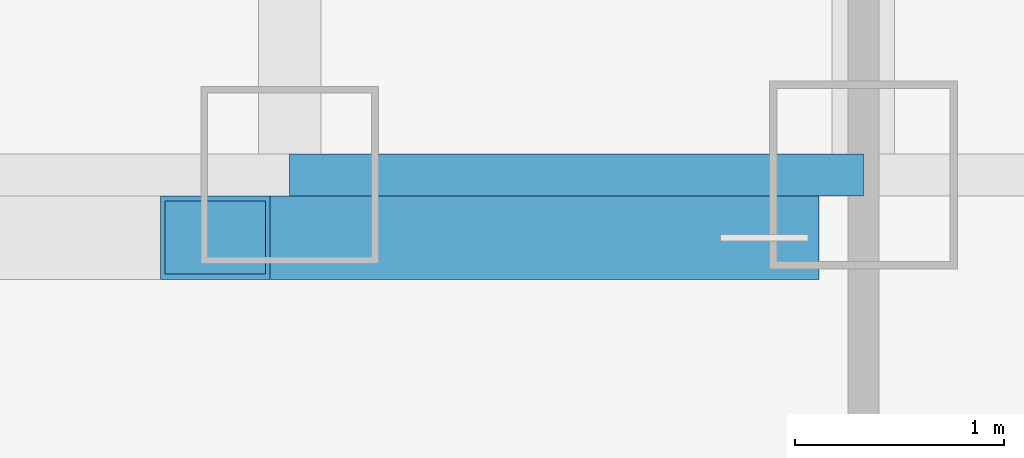
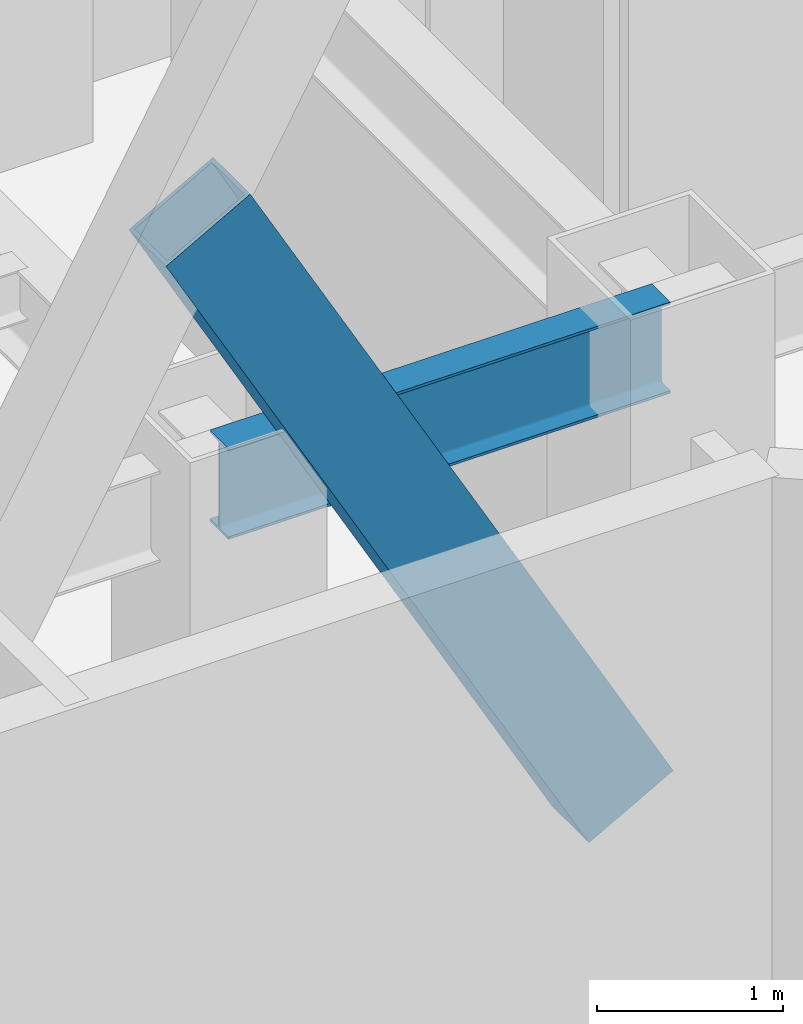
# One storey, part 3 of 29: 1 beam, 1 member.
"""IFC4 building model written with IfcOpenShell, lengths in metres."""

from ifc_helpers import new_model, si_unit, direction, frame, origin, origin_2d, place, context, subcontext, project, spatial, hollow_rectangle, i_section, extrude, material, material_profile, profile_set, type_object, element, save


model = new_model("IFC4")

# Units and contexts
model_context = context("Model", 3, precision=1e-05, world=origin(), true_north=direction((0.0, 1.0)))
body_context = subcontext(model_context, "Body", "Model", "MODEL_VIEW")
ifc_project = project(units=[si_unit("LENGTHUNIT", "METRE"), si_unit("AREAUNIT", "SQUARE_METRE"), si_unit("VOLUMEUNIT", "CUBIC_METRE"), si_unit("PLANEANGLEUNIT", "RADIAN"), si_unit("MASSUNIT", "GRAM", prefix="KILO")], contexts=[model_context])

# Site, building, storey
site_placement = place(None, origin())
site = spatial("IfcSite", under=ifc_project, at=site_placement, CompositionType="ELEMENT")
building_placement = place(site_placement, origin())
building = spatial("IfcBuilding", under=site, at=building_placement, Name="Hatsunagi Terrace Concourse", CompositionType="ELEMENT")
storey_placement = place(building_placement, frame((0.0, 0.0, 119.25)))
storey = spatial("IfcBuildingStorey", under=building, at=storey_placement, Name="L31", CompositionType="ELEMENT", Elevation=119.25)

# Beam
ifc_material_1 = material(Name="Steel SN490B", Category="steel")
ifc_material_profile_1 = material_profile(ifc_material_1, i_section(OverallWidth=0.199951171875, OverallDepth=0.60009765625, WebThickness=0.010986328125, FlangeThickness=0.01708984375, FilletRadius=0.01806640625, at=origin_2d()), Name="H-600x200x11x17")
ifc_profile_set_1 = profile_set([ifc_material_profile_1], Name="Steel SN490B")
beam_type = type_object("IfcBeamType", Name="PerimeterSpandrel_H_600x200", PredefinedType="SPANDREL", material=ifc_profile_set_1)
beam_placement = place(storey_placement, frame((22.800048828125, 25.199951171875, 3.050048828125), z_axis=(1.0, 0.0, 0.0), x_axis=(0.0, 1.0, 0.0)))
element("IfcBeam", 1, at=beam_placement, inside=storey, type_object=beam_type, Name="Beam SP-01 BM-L31-WS-22", PredefinedType="SPANDREL", context=body_context, shape_type="SweptSolid", body=[
    extrude(i_section(OverallWidth=0.199951171875, OverallDepth=0.60009765625, WebThickness=0.010986328125, FlangeThickness=0.01708984375, FilletRadius=0.01806640625, at=origin_2d()), origin(), (0.0, 0.0, 1.0), 2.75),
])

# Member
ifc_material_2 = material(Name="Steel SN490B", Category="steel")
ifc_material_profile_2 = material_profile(ifc_material_2, hollow_rectangle(XDim=0.39990234375, YDim=0.60009765625, WallThickness=0.02490234375, at=origin_2d()), Name="RHS-600x400x25")
ifc_profile_set_2 = profile_set([ifc_material_profile_2], Name="Steel SN490B")
member_type = type_object("IfcMemberType", Name="PerimeterXBrace_Mid_RHS_600x400x25", PredefinedType="BRACE", material=ifc_profile_set_2)
member_placement = place(storey_placement, frame((22.443115234375, 24.89990234375, 5.153076171875), z_axis=(0.48754257962, 0.0, -0.873099211463), x_axis=(0.0, 1.0, 0.0)))
element("IfcMember", 2, at=member_placement, inside=storey, type_object=member_type, Name="Perimeter X-Brace Split Lower XB-02 XB-L31-W1B2", PredefinedType="BRACE", context=body_context, shape_type="SweptSolid", body=[
    extrude(hollow_rectangle(XDim=0.39990234375, YDim=0.60009765625, WallThickness=0.02490234375, at=origin_2d()), origin(), (0.0, 0.0, 1.0), 5.398193359375),
])

save(model, "model.ifc")
